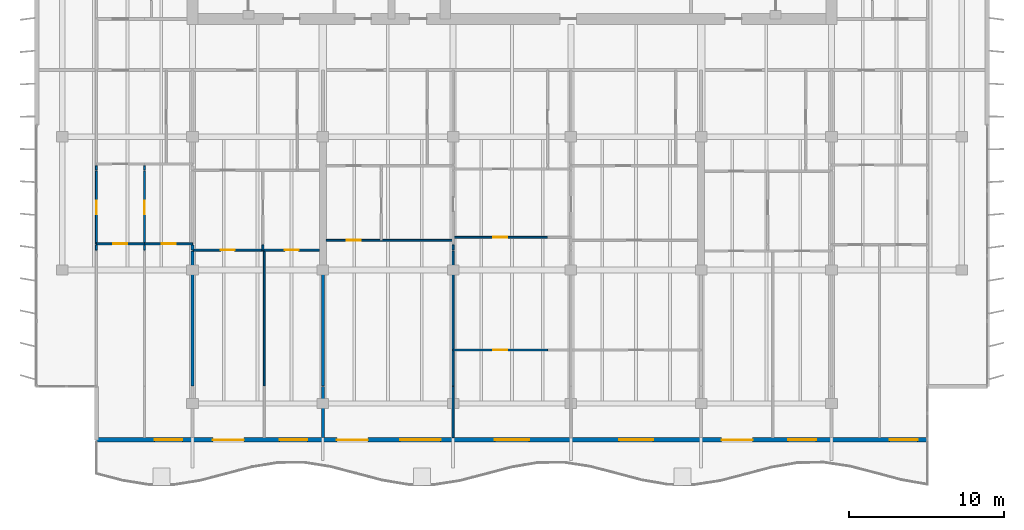
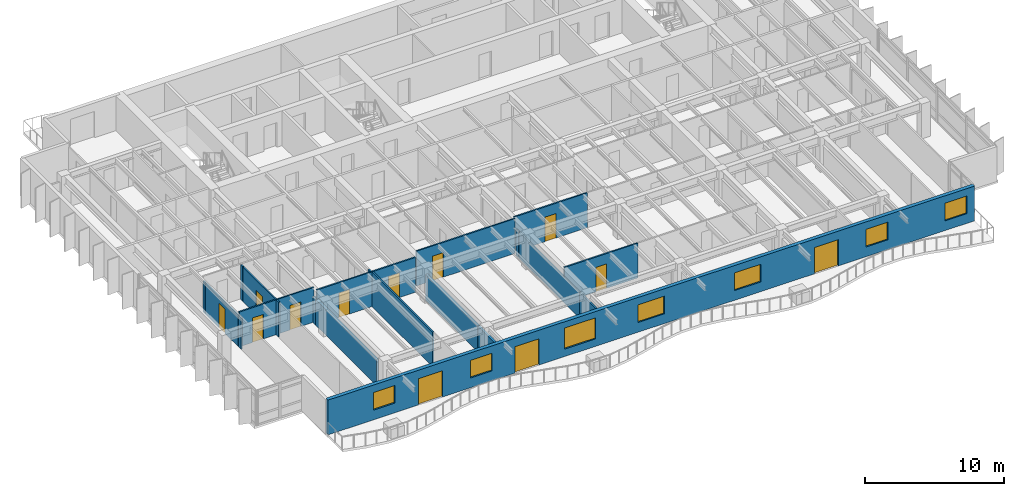
# One storey, part 6 of 17: 22 walls, 12 doors, 7 windows, 19 openings.
"""IFC4 building model written with IfcOpenShell, lengths in metres."""

from ifc_helpers import new_model, si_unit, direction, frame, frame_2d, origin, place, context, subcontext, project, spatial, rectangle, extrude, material, layer, layer_set, type_object, element, fill, save


model = new_model("IFC4")

# Units and contexts
model_context = context("Model", 3, precision=1e-05, world=origin(), true_north=direction((0.0, 1.0)))
body_context = subcontext(model_context, "Body", "Model", "MODEL_VIEW")
ifc_project = project(units=[si_unit("LENGTHUNIT", "METRE"), si_unit("AREAUNIT", "SQUARE_METRE"), si_unit("VOLUMEUNIT", "CUBIC_METRE"), si_unit("PLANEANGLEUNIT", "RADIAN"), si_unit("MASSUNIT", "GRAM", prefix="KILO")], contexts=[model_context])

# Site, building, storey
site_placement = place(None, origin())
site = spatial("IfcSite", under=ifc_project, at=site_placement, CompositionType="ELEMENT")
building_placement = place(site_placement, origin())
building = spatial("IfcBuilding", under=site, at=building_placement, Name="Caelmar Bay Residences", CompositionType="ELEMENT")
storey_placement = place(building_placement, frame((0.0, 0.0, 246.300048828125)))
storey = spatial("IfcBuildingStorey", under=building, at=storey_placement, Name="L69", CompositionType="ELEMENT", Elevation=246.300048828125)

# Wall, openings, doors, windows
ifc_material_1 = material(Name="Precast concrete f'c 40 MPa (6,000 psi)", Category="concrete")
ifc_layer_1 = layer(ifc_material_1, 0.300048828125)
ifc_layer_set_1 = layer_set([ifc_layer_1], Name="Precast concrete f'c 40 MPa (6,000 psi)")
wall_type_1 = type_object("IfcWallType", Name="W-EXT-300", PredefinedType="STANDARD", material=ifc_layer_set_1)
wall_1_placement = place(storey_placement, frame((65.699951171875, 9.85009765625, 0.0), z_axis=(0.0, 0.0, 1.0), x_axis=(-1.0, 0.0, 0.0)))
wall_1 = element("IfcWall", 1, at=wall_1_placement, inside=storey, type_object=wall_type_1, Name="L69 South Bayfront Exterior Wall", PredefinedType="STANDARD", context=body_context, shape_type="SweptSolid", body=[
    extrude(rectangle(XDim=53.599853515625, YDim=0.300048828125, at=frame_2d((26.7998046875, 0.0))), origin(), (0.0, 0.0, 1.0), 3.050048828125),
])
opening_1_placement = place(wall_1_placement, frame((48.050048828125, 0.0, 0.85009765625)))
opening_1 = element("IfcOpeningElement", 2, at=opening_1_placement, cuts=wall_1, Name="Opening WN1", PredefinedType="OPENING", context=body_context, shape_type="SweptSolid", body=[
    extrude(rectangle(XDim=1.800048828125, YDim=1.550048828125, at=frame_2d((0.89990234375, 0.77490234375))), frame((0.0, 0.159912109375, 0.0), z_axis=(0.0, -1.0, 0.0), x_axis=(1.0, 0.0, 0.0)), (0.0, 0.0, 1.0), 0.320068359375),
])
opening_2_placement = place(wall_1_placement, frame((44.090087890625, 0.0, 0.0)))
opening_2 = element("IfcOpeningElement", 3, at=opening_2_placement, cuts=wall_1, Name="Opening L69-BD01", PredefinedType="OPENING", context=body_context, shape_type="SweptSolid", body=[
    extrude(rectangle(XDim=2.0, YDim=2.300048828125, at=frame_2d((1.0, 1.14990234375))), frame((0.0, 0.159912109375, 0.0), z_axis=(0.0, -1.0, 0.0), x_axis=(1.0, 0.0, 0.0)), (0.0, 0.0, 1.0), 0.320068359375),
])
opening_3_placement = place(wall_1_placement, frame((39.989990234375, 0.0, 0.85009765625)))
opening_3 = element("IfcOpeningElement", 4, at=opening_3_placement, cuts=wall_1, Name="Opening WN1", PredefinedType="OPENING", context=body_context, shape_type="SweptSolid", body=[
    extrude(rectangle(XDim=1.800048828125, YDim=1.550048828125, at=frame_2d((0.89990234375, 0.77490234375))), frame((0.0, 0.159912109375, 0.0), z_axis=(0.0, -1.0, 0.0), x_axis=(1.0, 0.0, 0.0)), (0.0, 0.0, 1.0), 0.320068359375),
])
opening_4_placement = place(wall_1_placement, frame((36.090087890625, 0.0, 0.0)))
opening_4 = element("IfcOpeningElement", 5, at=opening_4_placement, cuts=wall_1, Name="Opening L69-BD02", PredefinedType="OPENING", context=body_context, shape_type="SweptSolid", body=[
    extrude(rectangle(XDim=2.0, YDim=2.300048828125, at=frame_2d((1.0, 1.14990234375))), frame((0.0, 0.159912109375, 0.0), z_axis=(0.0, -1.0, 0.0), x_axis=(1.0, 0.0, 0.0)), (0.0, 0.0, 1.0), 0.320068359375),
])
opening_5_placement = place(wall_1_placement, frame((31.409912109375, 0.0, 0.64990234375)))
opening_5 = element("IfcOpeningElement", 6, at=opening_5_placement, cuts=wall_1, Name="Opening WN3", PredefinedType="OPENING", context=body_context, shape_type="SweptSolid", body=[
    extrude(rectangle(XDim=2.60009765625, YDim=1.85009765625, at=frame_2d((1.300048828125, 0.925048828125))), frame((0.0, 0.159912109375, 0.0), z_axis=(0.0, -1.0, 0.0), x_axis=(1.0, 0.0, 0.0)), (0.0, 0.0, 1.0), 0.320068359375),
])
opening_6_placement = place(wall_1_placement, frame((25.699951171875, 0.0, 0.85009765625)))
opening_6 = element("IfcOpeningElement", 7, at=opening_6_placement, cuts=wall_1, Name="Opening WN2", PredefinedType="OPENING", context=body_context, shape_type="SweptSolid", body=[
    extrude(rectangle(XDim=2.199951171875, YDim=1.550048828125, at=frame_2d((1.10009765625, 0.77490234375))), frame((0.0, 0.159912109375, 0.0), z_axis=(0.0, -1.0, 0.0), x_axis=(1.0, 0.0, 0.0)), (0.0, 0.0, 1.0), 0.320068359375),
])
opening_7_placement = place(wall_1_placement, frame((17.699951171875, 0.0, 0.85009765625)))
opening_7 = element("IfcOpeningElement", 8, at=opening_7_placement, cuts=wall_1, Name="Opening WN2", PredefinedType="OPENING", context=body_context, shape_type="SweptSolid", body=[
    extrude(rectangle(XDim=2.199951171875, YDim=1.550048828125, at=frame_2d((1.10009765625, 0.77490234375))), frame((0.0, 0.159912109375, 0.0), z_axis=(0.0, -1.0, 0.0), x_axis=(1.0, 0.0, 0.0)), (0.0, 0.0, 1.0), 0.320068359375),
])
opening_8_placement = place(wall_1_placement, frame((11.2900390625, 0.0, 0.0)))
opening_8 = element("IfcOpeningElement", 9, at=opening_8_placement, cuts=wall_1, Name="Opening L69-BD03", PredefinedType="OPENING", context=body_context, shape_type="SweptSolid", body=[
    extrude(rectangle(XDim=2.0, YDim=2.300048828125, at=frame_2d((1.0, 1.14990234375))), frame((0.0, 0.159912109375, 0.0), z_axis=(0.0, -1.0, 0.0), x_axis=(1.0, 0.0, 0.0)), (0.0, 0.0, 1.0), 0.320068359375),
])
opening_9_placement = place(wall_1_placement, frame((7.18994140625, 0.0, 0.85009765625)))
opening_9 = element("IfcOpeningElement", 10, at=opening_9_placement, cuts=wall_1, Name="Opening WN1", PredefinedType="OPENING", context=body_context, shape_type="SweptSolid", body=[
    extrude(rectangle(XDim=1.800048828125, YDim=1.550048828125, at=frame_2d((0.89990234375, 0.77490234375))), frame((0.0, 0.159912109375, 0.0), z_axis=(0.0, -1.0, 0.0), x_axis=(1.0, 0.0, 0.0)), (0.0, 0.0, 1.0), 0.320068359375),
])
opening_10_placement = place(wall_1_placement, frame((0.64990234375, 0.0, 0.85009765625)))
opening_10 = element("IfcOpeningElement", 11, at=opening_10_placement, cuts=wall_1, Name="Opening WN1", PredefinedType="OPENING", context=body_context, shape_type="SweptSolid", body=[
    extrude(rectangle(XDim=1.800048828125, YDim=1.550048828125, at=frame_2d((0.89990234375, 0.77490234375))), frame((0.0, 0.159912109375, 0.0), z_axis=(0.0, -1.0, 0.0), x_axis=(1.0, 0.0, 0.0)), (0.0, 0.0, 1.0), 0.320068359375),
])
ifc_material_2 = material(Name="Anodised bronze thermally broken sliding glass door", Category="glass")
ifc_layer_2 = layer(ifc_material_2, 0.050048828125)
ifc_layer_set_2 = layer_set([ifc_layer_2], Name="Anodised bronze thermally broken sliding glass door")
door_type_1 = type_object("IfcDoorType", Name="D-BAL-2000", OperationType="DOUBLE_DOOR_SLIDING", PredefinedType="DOOR", material=ifc_layer_set_2)
door_1_placement = place(opening_2_placement, origin())
door_1 = element("IfcDoor", 12, at=door_1_placement, inside=storey, type_object=door_type_1, Name="L69 Residence 02 Living Room Balcony Door", OperationType="DOUBLE_DOOR_SLIDING", OverallHeight=2.300048828125, OverallWidth=2.0, PredefinedType="DOOR", context=body_context, shape_type="SweptSolid", body=[
    extrude(rectangle(XDim=2.0, YDim=2.300048828125, at=frame_2d((1.0, 1.14990234375))), frame((0.0, 0.02490234375, 0.0), z_axis=(0.0, -1.0, 0.0), x_axis=(1.0, 0.0, 0.0)), (0.0, 0.0, 1.0), 0.050048828125),
])
fill(opening_2, door_1)
door_2_placement = place(opening_4_placement, origin())
door_2 = element("IfcDoor", 13, at=door_2_placement, inside=storey, type_object=door_type_1, Name="L69 Residence 03 Penthouse Living Salon Balcony Door", OperationType="DOUBLE_DOOR_SLIDING", OverallHeight=2.300048828125, OverallWidth=2.0, PredefinedType="DOOR", context=body_context, shape_type="SweptSolid", body=[
    extrude(rectangle(XDim=2.0, YDim=2.300048828125, at=frame_2d((1.0, 1.14990234375))), frame((0.0, 0.02490234375, 0.0), z_axis=(0.0, -1.0, 0.0), x_axis=(1.0, 0.0, 0.0)), (0.0, 0.0, 1.0), 0.050048828125),
])
fill(opening_4, door_2)
door_3_placement = place(opening_8_placement, origin())
door_3 = element("IfcDoor", 14, at=door_3_placement, inside=storey, type_object=door_type_1, Name="L69 Residence 04 Living Room Balcony Door", OperationType="DOUBLE_DOOR_SLIDING", OverallHeight=2.300048828125, OverallWidth=2.0, PredefinedType="DOOR", context=body_context, shape_type="SweptSolid", body=[
    extrude(rectangle(XDim=2.0, YDim=2.300048828125, at=frame_2d((1.0, 1.14990234375))), frame((0.0, 0.02490234375, 0.0), z_axis=(0.0, -1.0, 0.0), x_axis=(1.0, 0.0, 0.0)), (0.0, 0.0, 1.0), 0.050048828125),
])
fill(opening_8, door_3)
ifc_material_3 = material(Name="Bronze aluminium frame with laminated low-E glass", Category="aluminium")
ifc_layer_3 = layer(ifc_material_3, 0.06005859375)
ifc_layer_set_3 = layer_set([ifc_layer_3], Name="Bronze aluminium frame with laminated low-E glass")
window_type_1 = type_object("IfcWindowType", Name="WIN-BR-1800", PartitioningType="SINGLE_PANEL", PredefinedType="WINDOW", material=ifc_layer_set_3)
window_1_placement = place(opening_1_placement, origin())
window_1 = element("IfcWindow", 15, at=window_1_placement, inside=storey, type_object=window_type_1, Name="L69 Residence 01 Primary Bedroom Window", OverallHeight=1.550048828125, OverallWidth=1.800048828125, PartitioningType="SINGLE_PANEL", PredefinedType="WINDOW", context=body_context, shape_type="SweptSolid", body=[
    extrude(rectangle(XDim=1.800048828125, YDim=1.550048828125, at=frame_2d((0.89990234375, 0.77490234375))), frame((0.0, 0.030029296875, 0.0), z_axis=(0.0, -1.0, 0.0), x_axis=(1.0, 0.0, 0.0)), (0.0, 0.0, 1.0), 0.06005859375),
])
fill(opening_1, window_1)
window_2_placement = place(opening_3_placement, origin())
window_2 = element("IfcWindow", 16, at=window_2_placement, inside=storey, type_object=window_type_1, Name="L69 Residence 02 Primary Bedroom Window", OverallHeight=1.550048828125, OverallWidth=1.800048828125, PartitioningType="SINGLE_PANEL", PredefinedType="WINDOW", context=body_context, shape_type="SweptSolid", body=[
    extrude(rectangle(XDim=1.800048828125, YDim=1.550048828125, at=frame_2d((0.89990234375, 0.77490234375))), frame((0.0, 0.030029296875, 0.0), z_axis=(0.0, -1.0, 0.0), x_axis=(1.0, 0.0, 0.0)), (0.0, 0.0, 1.0), 0.06005859375),
])
fill(opening_3, window_2)
window_3_placement = place(opening_9_placement, origin())
window_3 = element("IfcWindow", 17, at=window_3_placement, inside=storey, type_object=window_type_1, Name="L69 Residence 04 Primary Bedroom Window", OverallHeight=1.550048828125, OverallWidth=1.800048828125, PartitioningType="SINGLE_PANEL", PredefinedType="WINDOW", context=body_context, shape_type="SweptSolid", body=[
    extrude(rectangle(XDim=1.800048828125, YDim=1.550048828125, at=frame_2d((0.89990234375, 0.77490234375))), frame((0.0, 0.030029296875, 0.0), z_axis=(0.0, -1.0, 0.0), x_axis=(1.0, 0.0, 0.0)), (0.0, 0.0, 1.0), 0.06005859375),
])
fill(opening_9, window_3)
window_4_placement = place(opening_10_placement, origin())
window_4 = element("IfcWindow", 18, at=window_4_placement, inside=storey, type_object=window_type_1, Name="L69 Residence 05 Primary Bedroom Window", OverallHeight=1.550048828125, OverallWidth=1.800048828125, PartitioningType="SINGLE_PANEL", PredefinedType="WINDOW", context=body_context, shape_type="SweptSolid", body=[
    extrude(rectangle(XDim=1.800048828125, YDim=1.550048828125, at=frame_2d((0.89990234375, 0.77490234375))), frame((0.0, 0.030029296875, 0.0), z_axis=(0.0, -1.0, 0.0), x_axis=(1.0, 0.0, 0.0)), (0.0, 0.0, 1.0), 0.06005859375),
])
fill(opening_10, window_4)
ifc_layer_4 = layer(ifc_material_3, 0.06005859375)
ifc_layer_set_4 = layer_set([ifc_layer_4], Name="Bronze aluminium frame with laminated low-E glass")
window_type_2 = type_object("IfcWindowType", Name="WIN-BR-2200", PartitioningType="SINGLE_PANEL", PredefinedType="WINDOW", material=ifc_layer_set_4)
window_5_placement = place(opening_6_placement, origin())
window_5 = element("IfcWindow", 19, at=window_5_placement, inside=storey, type_object=window_type_2, Name="L69 Residence 03 Primary Bedroom 1 Window", OverallHeight=1.550048828125, OverallWidth=2.199951171875, PartitioningType="SINGLE_PANEL", PredefinedType="WINDOW", context=body_context, shape_type="SweptSolid", body=[
    extrude(rectangle(XDim=2.199951171875, YDim=1.550048828125, at=frame_2d((1.10009765625, 0.77490234375))), frame((0.0, 0.030029296875, 0.0), z_axis=(0.0, -1.0, 0.0), x_axis=(1.0, 0.0, 0.0)), (0.0, 0.0, 1.0), 0.06005859375),
])
fill(opening_6, window_5)
window_6_placement = place(opening_7_placement, origin())
window_6 = element("IfcWindow", 20, at=window_6_placement, inside=storey, type_object=window_type_2, Name="L69 Residence 03 Primary Bedroom 2 Window", OverallHeight=1.550048828125, OverallWidth=2.199951171875, PartitioningType="SINGLE_PANEL", PredefinedType="WINDOW", context=body_context, shape_type="SweptSolid", body=[
    extrude(rectangle(XDim=2.199951171875, YDim=1.550048828125, at=frame_2d((1.10009765625, 0.77490234375))), frame((0.0, 0.030029296875, 0.0), z_axis=(0.0, -1.0, 0.0), x_axis=(1.0, 0.0, 0.0)), (0.0, 0.0, 1.0), 0.06005859375),
])
fill(opening_7, window_6)
ifc_layer_5 = layer(ifc_material_3, 0.06005859375)
ifc_layer_set_5 = layer_set([ifc_layer_5], Name="Bronze aluminium frame with laminated low-E glass")
window_type_3 = type_object("IfcWindowType", Name="WIN-LIV-2600", PartitioningType="SINGLE_PANEL", PredefinedType="WINDOW", material=ifc_layer_set_5)
window_7_placement = place(opening_5_placement, origin())
window_7 = element("IfcWindow", 21, at=window_7_placement, inside=storey, type_object=window_type_3, Name="L69 Residence 03 Penthouse Living Salon Panoramic Window", OverallHeight=1.85009765625, OverallWidth=2.60009765625, PartitioningType="SINGLE_PANEL", PredefinedType="WINDOW", context=body_context, shape_type="SweptSolid", body=[
    extrude(rectangle(XDim=2.60009765625, YDim=1.85009765625, at=frame_2d((1.300048828125, 0.925048828125))), frame((0.0, 0.030029296875, 0.0), z_axis=(0.0, -1.0, 0.0), x_axis=(1.0, 0.0, 0.0)), (0.0, 0.0, 1.0), 0.06005859375),
])
fill(opening_5, window_7)

# Wall
ifc_material_4 = material(Name="Acoustic metal-stud gypsum partition 120 mm")
ifc_layer_6 = layer(ifc_material_4, 0.1201171875)
ifc_layer_set_6 = layer_set([ifc_layer_6], Name="Acoustic metal-stud gypsum partition 120 mm")
wall_type_2 = type_object("IfcWallType", Name="W-PRT-120", PredefinedType="PARTITIONING", material=ifc_layer_set_6)
wall_2_placement = place(storey_placement, frame((12.10009765625, 22.090087890625, 0.0), z_axis=(0.0, 0.0, 1.0), x_axis=(0.0, 1.0, 0.0)))
element("IfcWall", 22, at=wall_2_placement, inside=storey, type_object=wall_type_2, Name="L69 Partition Wall V002", PredefinedType="PARTITIONING", context=body_context, shape_type="SweptSolid", body=[
    extrude(rectangle(XDim=0.33984375, YDim=0.1201171875, at=frame_2d((0.169921875, 0.0))), origin(), (0.0, 0.0, 1.0), 2.724853515625),
])

# Wall, opening, door
wall_3_placement = place(storey_placement, frame((12.10009765625, 22.489990234375, 0.0), z_axis=(0.0, 0.0, 1.0), x_axis=(0.0, 1.0, 0.0)))
wall_3 = element("IfcWall", 23, at=wall_3_placement, inside=storey, type_object=wall_type_2, Name="L69 Partition Wall V003", PredefinedType="PARTITIONING", context=body_context, shape_type="SweptSolid", body=[
    extrude(rectangle(XDim=4.68994140625, YDim=0.1201171875, at=frame_2d((2.344970703125, 0.0))), origin(), (0.0, 0.0, 1.0), 2.724853515625),
])
opening_11_placement = place(wall_3_placement, frame((1.89501953125, 0.0, 0.0)))
opening_11 = element("IfcOpeningElement", 24, at=opening_11_placement, cuts=wall_3, Name="Opening D-L69-160", PredefinedType="OPENING", context=body_context, shape_type="SweptSolid", body=[
    extrude(rectangle(XDim=0.89990234375, YDim=2.14990234375, at=frame_2d((0.449951171875, 1.074951171875))), frame((0.0, 0.070068359375, 0.0), z_axis=(0.0, -1.0, 0.0), x_axis=(1.0, 0.0, 0.0)), (0.0, 0.0, 1.0), 0.14013671875),
])
ifc_material_5 = material(Name="Solid walnut timber interior door leaf and frame", Category="wood")
ifc_layer_7 = layer(ifc_material_5, 0.050048828125)
ifc_layer_set_7 = layer_set([ifc_layer_7], Name="Solid walnut timber interior door leaf and frame")
door_type_2 = type_object("IfcDoorType", Name="D-ROOM-900", OperationType="NOTDEFINED", PredefinedType="DOOR", material=ifc_layer_set_7)
door_4_placement = place(opening_11_placement, origin())
door_4 = element("IfcDoor", 25, at=door_4_placement, inside=storey, type_object=door_type_2, Name="L69 Residence 01 Penthouse West Salon Door", OperationType="SINGLE_SWING_LEFT", OverallHeight=2.14990234375, OverallWidth=0.89990234375, PredefinedType="DOOR", context=body_context, shape_type="SweptSolid", body=[
    extrude(rectangle(XDim=0.89990234375, YDim=2.14990234375, at=frame_2d((0.449951171875, 1.074951171875))), frame((0.0, 0.02490234375, 0.0), z_axis=(0.0, -1.0, 0.0), x_axis=(1.0, 0.0, 0.0)), (0.0, 0.0, 1.0), 0.050048828125),
])
fill(opening_11, door_4)

# Wall
wall_4_placement = place(storey_placement, frame((12.10009765625, 27.239990234375, 0.0), z_axis=(0.0, 0.0, 1.0), x_axis=(0.0, 1.0, 0.0)))
element("IfcWall", 26, at=wall_4_placement, inside=storey, type_object=wall_type_2, Name="L69 Partition Wall V004", PredefinedType="PARTITIONING", context=body_context, shape_type="SweptSolid", body=[
    extrude(rectangle(XDim=0.280029296875, YDim=0.1201171875, at=frame_2d((0.14013671875, 0.0))), origin(), (0.0, 0.0, 1.0), 2.724853515625),
])

# Wall, opening, door
wall_5_placement = place(storey_placement, frame((15.197998046875, 22.489990234375, 0.0), z_axis=(0.0, 0.0, 1.0), x_axis=(0.0, 1.0, 0.0)))
wall_5 = element("IfcWall", 27, at=wall_5_placement, inside=storey, type_object=wall_type_2, Name="L69 Partition Wall V008", PredefinedType="PARTITIONING", context=body_context, shape_type="SweptSolid", body=[
    extrude(rectangle(XDim=4.68994140625, YDim=0.1201171875, at=frame_2d((2.344970703125, 0.0))), origin(), (0.0, 0.0, 1.0), 3.050048828125),
])
opening_12_placement = place(wall_5_placement, frame((1.89501953125, 0.0, 0.0)))
opening_12 = element("IfcOpeningElement", 28, at=opening_12_placement, cuts=wall_5, Name="Opening D-L69-125", PredefinedType="OPENING", context=body_context, shape_type="SweptSolid", body=[
    extrude(rectangle(XDim=0.89990234375, YDim=2.14990234375, at=frame_2d((0.449951171875, 1.074951171875))), frame((0.0, 0.070068359375, 0.0), z_axis=(0.0, -1.0, 0.0), x_axis=(1.0, 0.0, 0.0)), (0.0, 0.0, 1.0), 0.14013671875),
])
door_5_placement = place(opening_12_placement, origin())
door_5 = element("IfcDoor", 29, at=door_5_placement, inside=storey, type_object=door_type_2, Name="L69 Residence 01 Formal Dining Room Door", OperationType="SINGLE_SWING_RIGHT", OverallHeight=2.14990234375, OverallWidth=0.89990234375, PredefinedType="DOOR", context=body_context, shape_type="SweptSolid", body=[
    extrude(rectangle(XDim=0.89990234375, YDim=2.14990234375, at=frame_2d((0.449951171875, 1.074951171875))), frame((0.0, 0.02490234375, 0.0), z_axis=(0.0, -1.0, 0.0), x_axis=(1.0, 0.0, 0.0)), (0.0, 0.0, 1.0), 0.050048828125),
])
fill(opening_12, door_5)

# Walls
wall_6_placement = place(storey_placement, frame((15.197998046875, 27.239990234375, 0.0), z_axis=(0.0, 0.0, 1.0), x_axis=(0.0, 1.0, 0.0)))
element("IfcWall", 30, at=wall_6_placement, inside=storey, type_object=wall_type_2, Name="L69 Partition Wall V009", PredefinedType="PARTITIONING", context=body_context, shape_type="SweptSolid", body=[
    extrude(rectangle(XDim=0.280029296875, YDim=0.1201171875, at=frame_2d((0.14013671875, 0.0))), origin(), (0.0, 0.0, 1.0), 3.050048828125),
])
for number, where, z_axis, x_axis, name in (
    (31, (15.199951171875, 22.090087890625, 0.0), (0.0, 0.0, 1.0), (0.0, 1.0, 0.0), "L69 Partition Wall V012"),
    (32, (22.8359375, 22.090087890625, 0.0), (0.0, 0.0, 1.0), (0.0, 1.0, 0.0), "L69 Partition Wall V022"),
):
    element("IfcWall", number, at=place(storey_placement, frame(where, z_axis=z_axis, x_axis=x_axis)), inside=storey, type_object=wall_type_2, Name=name, PredefinedType="PARTITIONING", context=body_context, shape_type="SweptSolid", body=[
        extrude(rectangle(XDim=0.33984375, YDim=0.1201171875, at=frame_2d((0.169921875, 0.0))), origin(), (0.0, 0.0, 1.0), 3.050048828125),
    ])
wall_7_placement = place(storey_placement, frame((22.919921875, 13.340087890625, 0.0), z_axis=(0.0, 0.0, 1.0), x_axis=(0.0, 1.0, 0.0)))
element("IfcWall", 33, at=wall_7_placement, inside=storey, type_object=wall_type_2, Name="L69 Partition Wall V025", PredefinedType="PARTITIONING", context=body_context, shape_type="SweptSolid", body=[
    extrude(rectangle(XDim=8.68994140625, YDim=0.1201171875, at=frame_2d((4.344970703125, 0.0))), origin(), (0.0, 0.0, 1.0), 3.050048828125),
])
wall_8_placement = place(storey_placement, frame((35.10009765625, 9.9951171875, 0.0), z_axis=(0.0, 0.0, 1.0), x_axis=(0.0, 1.0, 0.0)))
element("IfcWall", 34, at=wall_8_placement, inside=storey, type_object=wall_type_2, Name="L69 Partition Wall V038", PredefinedType="PARTITIONING", context=body_context, shape_type="SweptSolid", body=[
    extrude(rectangle(XDim=3.304931640625, YDim=0.1201171875, at=frame_2d((1.65234375, 0.0))), origin(), (0.0, 0.0, 1.0), 2.262939453125),
])
wall_9_placement = place(storey_placement, frame((35.10009765625, 13.340087890625, 0.0), z_axis=(0.0, 0.0, 1.0), x_axis=(0.0, 1.0, 0.0)))
element("IfcWall", 35, at=wall_9_placement, inside=storey, type_object=wall_type_2, Name="L69 Partition Wall V039", PredefinedType="PARTITIONING", context=body_context, shape_type="SweptSolid", body=[
    extrude(rectangle(XDim=8.68994140625, YDim=0.1201171875, at=frame_2d((4.344970703125, 0.0))), origin(), (0.0, 0.0, 1.0), 2.262939453125),
])
wall_10_placement = place(storey_placement, frame((35.10009765625, 22.090087890625, 0.0), z_axis=(0.0, 0.0, 1.0), x_axis=(0.0, 1.0, 0.0)))
element("IfcWall", 36, at=wall_10_placement, inside=storey, type_object=wall_type_2, Name="L69 Partition Wall V040", PredefinedType="PARTITIONING", context=body_context, shape_type="SweptSolid", body=[
    extrude(rectangle(XDim=0.33984375, YDim=0.1201171875, at=frame_2d((0.169921875, 0.0))), origin(), (0.0, 0.0, 1.0), 2.262939453125),
])

# Wall, opening, door
wall_11_placement = place(storey_placement, frame((35.10009765625, 15.64990234375, 0.0), z_axis=(0.0, 0.0, 1.0), x_axis=(1.0, 0.0, 0.0)))
wall_11 = element("IfcWall", 37, at=wall_11_placement, inside=storey, type_object=wall_type_2, Name="L69 Partition Wall H089", PredefinedType="PARTITIONING", context=body_context, shape_type="SweptSolid", body=[
    extrude(rectangle(XDim=6.094970703125, YDim=0.1201171875, at=frame_2d((3.04736328125, 0.0))), origin(), (0.0, 0.0, 1.0), 3.050048828125),
])
opening_13_placement = place(wall_11_placement, frame((2.597412109375, 0.0, 0.0)))
opening_13 = element("IfcOpeningElement", 38, at=opening_13_placement, cuts=wall_11, Name="Opening D-L69-143", PredefinedType="OPENING", context=body_context, shape_type="SweptSolid", body=[
    extrude(rectangle(XDim=0.89990234375, YDim=2.14990234375, at=frame_2d((0.449951171875, 1.074951171875))), frame((0.0, 0.070068359375, 0.0), z_axis=(0.0, -1.0, 0.0), x_axis=(1.0, 0.0, 0.0)), (0.0, 0.0, 1.0), 0.14013671875),
])
door_6_placement = place(opening_13_placement, origin())
door_6 = element("IfcDoor", 39, at=door_6_placement, inside=storey, type_object=door_type_2, Name="L69 Residence 03 Primary Bedroom 1 Door", OperationType="SINGLE_SWING_RIGHT", OverallHeight=2.14990234375, OverallWidth=0.89990234375, PredefinedType="DOOR", context=body_context, shape_type="SweptSolid", body=[
    extrude(rectangle(XDim=0.89990234375, YDim=2.14990234375, at=frame_2d((0.449951171875, 1.074951171875))), frame((0.0, 0.02490234375, 0.0), z_axis=(0.0, -1.0, 0.0), x_axis=(1.0, 0.0, 0.0)), (0.0, 0.0, 1.0), 0.050048828125),
])
fill(opening_13, door_6)

# Wall, openings, doors
wall_12_placement = place(storey_placement, frame((18.300048828125, 22.090087890625, 0.0), z_axis=(0.0, 0.0, 1.0), x_axis=(1.0, 0.0, 0.0)))
wall_12 = element("IfcWall", 40, at=wall_12_placement, inside=storey, type_object=wall_type_2, Name="L69 Partition Wall H092", PredefinedType="PARTITIONING", context=body_context, shape_type="SweptSolid", body=[
    extrude(rectangle(XDim=8.179931640625, YDim=0.1201171875, at=frame_2d((4.08984375, 0.0))), origin(), (0.0, 0.0, 1.0), 3.050048828125),
])
opening_14_placement = place(wall_12_placement, frame((1.818115234375, 0.0, 0.0)))
opening_14 = element("IfcOpeningElement", 41, at=opening_14_placement, cuts=wall_12, Name="Opening D-L69-132", PredefinedType="OPENING", context=body_context, shape_type="SweptSolid", body=[
    extrude(rectangle(XDim=0.89990234375, YDim=2.14990234375, at=frame_2d((0.449951171875, 1.074951171875))), frame((0.0, 0.070068359375, 0.0), z_axis=(0.0, -1.0, 0.0), x_axis=(1.0, 0.0, 0.0)), (0.0, 0.0, 1.0), 0.14013671875),
])
opening_15_placement = place(wall_12_placement, frame((5.949951171875, 0.0, 0.0)))
opening_15 = element("IfcOpeningElement", 42, at=opening_15_placement, cuts=wall_12, Name="Opening D-L69-133", PredefinedType="OPENING", context=body_context, shape_type="SweptSolid", body=[
    extrude(rectangle(XDim=0.89990234375, YDim=2.14990234375, at=frame_2d((0.449951171875, 1.074951171875))), frame((0.0, 0.070068359375, 0.0), z_axis=(0.0, -1.0, 0.0), x_axis=(1.0, 0.0, 0.0)), (0.0, 0.0, 1.0), 0.14013671875),
])
door_7_placement = place(opening_14_placement, origin())
door_7 = element("IfcDoor", 43, at=door_7_placement, inside=storey, type_object=door_type_2, Name="L69 Residence 02 Living Room Door", OperationType="SINGLE_SWING_LEFT", OverallHeight=2.14990234375, OverallWidth=0.89990234375, PredefinedType="DOOR", context=body_context, shape_type="SweptSolid", body=[
    extrude(rectangle(XDim=0.89990234375, YDim=2.14990234375, at=frame_2d((0.449951171875, 1.074951171875))), frame((0.0, 0.02490234375, 0.0), z_axis=(0.0, -1.0, 0.0), x_axis=(1.0, 0.0, 0.0)), (0.0, 0.0, 1.0), 0.050048828125),
])
fill(opening_14, door_7)
door_8_placement = place(opening_15_placement, origin())
door_8 = element("IfcDoor", 44, at=door_8_placement, inside=storey, type_object=door_type_2, Name="L69 Residence 02 Primary Bedroom Door", OperationType="SINGLE_SWING_RIGHT", OverallHeight=2.14990234375, OverallWidth=0.89990234375, PredefinedType="DOOR", context=body_context, shape_type="SweptSolid", body=[
    extrude(rectangle(XDim=0.89990234375, YDim=2.14990234375, at=frame_2d((0.449951171875, 1.074951171875))), frame((0.0, 0.02490234375, 0.0), z_axis=(0.0, -1.0, 0.0), x_axis=(1.0, 0.0, 0.0)), (0.0, 0.0, 1.0), 0.050048828125),
])
fill(opening_15, door_8)

# Wall, opening, door
wall_13_placement = place(storey_placement, frame((12.10009765625, 22.489990234375, 0.0), z_axis=(0.0, 0.0, 1.0), x_axis=(1.0, 0.0, 0.0)))
wall_13 = element("IfcWall", 45, at=wall_13_placement, inside=storey, type_object=wall_type_2, Name="L69 Partition Wall H094", PredefinedType="PARTITIONING", context=body_context, shape_type="SweptSolid", body=[
    extrude(rectangle(XDim=3.097900390625, YDim=0.1201171875, at=frame_2d((1.548828125, 0.0))), origin(), (0.0, 0.0, 1.0), 3.050048828125),
])
opening_16_placement = place(wall_13_placement, frame((1.09912109375, 0.0, 0.0)))
opening_16 = element("IfcOpeningElement", 46, at=opening_16_placement, cuts=wall_13, Name="Opening D-L69-126", PredefinedType="OPENING", context=body_context, shape_type="SweptSolid", body=[
    extrude(rectangle(XDim=0.89990234375, YDim=2.14990234375, at=frame_2d((0.449951171875, 1.074951171875))), frame((0.0, 0.070068359375, 0.0), z_axis=(0.0, -1.0, 0.0), x_axis=(1.0, 0.0, 0.0)), (0.0, 0.0, 1.0), 0.14013671875),
])
door_9_placement = place(opening_16_placement, origin())
door_9 = element("IfcDoor", 47, at=door_9_placement, inside=storey, type_object=door_type_2, Name="L69 Residence 01 Living Room Door", OperationType="SINGLE_SWING_LEFT", OverallHeight=2.14990234375, OverallWidth=0.89990234375, PredefinedType="DOOR", context=body_context, shape_type="SweptSolid", body=[
    extrude(rectangle(XDim=0.89990234375, YDim=2.14990234375, at=frame_2d((0.449951171875, 1.074951171875))), frame((0.0, 0.02490234375, 0.0), z_axis=(0.0, -1.0, 0.0), x_axis=(1.0, 0.0, 0.0)), (0.0, 0.0, 1.0), 0.050048828125),
])
fill(opening_16, door_9)

wall_14_placement = place(storey_placement, frame((15.202880859375, 22.489990234375, 0.0), z_axis=(0.0, 0.0, 1.0), x_axis=(1.0, 0.0, 0.0)))
wall_14 = element("IfcWall", 48, at=wall_14_placement, inside=storey, type_object=wall_type_2, Name="L69 Partition Wall H095", PredefinedType="PARTITIONING", context=body_context, shape_type="SweptSolid", body=[
    extrude(rectangle(XDim=3.09716796875, YDim=0.1201171875, at=frame_2d((1.548583984375, 0.0))), origin(), (0.0, 0.0, 1.0), 3.050048828125),
])
opening_17_placement = place(wall_14_placement, frame((1.098388671875, 0.0, 0.0)))
opening_17 = element("IfcOpeningElement", 49, at=opening_17_placement, cuts=wall_14, Name="Opening D-L69-127", PredefinedType="OPENING", context=body_context, shape_type="SweptSolid", body=[
    extrude(rectangle(XDim=0.89990234375, YDim=2.14990234375, at=frame_2d((0.449951171875, 1.074951171875))), frame((0.0, 0.070068359375, 0.0), z_axis=(0.0, -1.0, 0.0), x_axis=(1.0, 0.0, 0.0)), (0.0, 0.0, 1.0), 0.14013671875),
])
door_10_placement = place(opening_17_placement, origin())
door_10 = element("IfcDoor", 50, at=door_10_placement, inside=storey, type_object=door_type_2, Name="L69 Residence 01 Primary Bedroom Door", OperationType="SINGLE_SWING_RIGHT", OverallHeight=2.14990234375, OverallWidth=0.89990234375, PredefinedType="DOOR", context=body_context, shape_type="SweptSolid", body=[
    extrude(rectangle(XDim=0.89990234375, YDim=2.14990234375, at=frame_2d((0.449951171875, 1.074951171875))), frame((0.0, 0.02490234375, 0.0), z_axis=(0.0, -1.0, 0.0), x_axis=(1.0, 0.0, 0.0)), (0.0, 0.0, 1.0), 0.050048828125),
])
fill(opening_17, door_10)

wall_15_placement = place(storey_placement, frame((26.919921875, 22.719970703125, 0.0), z_axis=(0.0, 0.0, 1.0), x_axis=(1.0, 0.0, 0.0)))
wall_15 = element("IfcWall", 51, at=wall_15_placement, inside=storey, type_object=wall_type_2, Name="L69 Partition Wall H096", PredefinedType="PARTITIONING", context=body_context, shape_type="SweptSolid", body=[
    extrude(rectangle(XDim=8.18017578125, YDim=0.1201171875, at=frame_2d((4.090087890625, 0.0))), origin(), (0.0, 0.0, 1.0), 3.050048828125),
])
opening_18_placement = place(wall_15_placement, frame((1.330078125, 0.0, 0.0)))
opening_18 = element("IfcOpeningElement", 52, at=opening_18_placement, cuts=wall_15, Name="Opening D-L69-138", PredefinedType="OPENING", context=body_context, shape_type="SweptSolid", body=[
    extrude(rectangle(XDim=0.89990234375, YDim=2.14990234375, at=frame_2d((0.449951171875, 1.074951171875))), frame((0.0, 0.070068359375, 0.0), z_axis=(0.0, -1.0, 0.0), x_axis=(1.0, 0.0, 0.0)), (0.0, 0.0, 1.0), 0.14013671875),
])
door_11_placement = place(opening_18_placement, origin())
door_11 = element("IfcDoor", 53, at=door_11_placement, inside=storey, type_object=door_type_2, Name="L69 Residence 03 Penthouse Living Salon Door", OperationType="SINGLE_SWING_LEFT", OverallHeight=2.14990234375, OverallWidth=0.89990234375, PredefinedType="DOOR", context=body_context, shape_type="SweptSolid", body=[
    extrude(rectangle(XDim=0.89990234375, YDim=2.14990234375, at=frame_2d((0.449951171875, 1.074951171875))), frame((0.0, 0.02490234375, 0.0), z_axis=(0.0, -1.0, 0.0), x_axis=(1.0, 0.0, 0.0)), (0.0, 0.0, 1.0), 0.050048828125),
])
fill(opening_18, door_11)

wall_16_placement = place(storey_placement, frame((35.10009765625, 22.919921875, 0.0), z_axis=(0.0, 0.0, 1.0), x_axis=(1.0, 0.0, 0.0)))
wall_16 = element("IfcWall", 54, at=wall_16_placement, inside=storey, type_object=wall_type_2, Name="L69 Partition Wall H098", PredefinedType="PARTITIONING", context=body_context, shape_type="SweptSolid", body=[
    extrude(rectangle(XDim=6.094970703125, YDim=0.1201171875, at=frame_2d((3.04736328125, 0.0))), origin(), (0.0, 0.0, 1.0), 3.050048828125),
])
opening_19_placement = place(wall_16_placement, frame((2.597412109375, 0.0, 0.0)))
opening_19 = element("IfcOpeningElement", 55, at=opening_19_placement, cuts=wall_16, Name="Opening D-L69-142", PredefinedType="OPENING", context=body_context, shape_type="SweptSolid", body=[
    extrude(rectangle(XDim=0.89990234375, YDim=2.14990234375, at=frame_2d((0.449951171875, 1.074951171875))), frame((0.0, 0.070068359375, 0.0), z_axis=(0.0, -1.0, 0.0), x_axis=(1.0, 0.0, 0.0)), (0.0, 0.0, 1.0), 0.14013671875),
])
door_12_placement = place(opening_19_placement, origin())
door_12 = element("IfcDoor", 56, at=door_12_placement, inside=storey, type_object=door_type_2, Name="L69 Residence 03 Penthouse Sitting Salon 1 Door", OperationType="SINGLE_SWING_LEFT", OverallHeight=2.14990234375, OverallWidth=0.89990234375, PredefinedType="DOOR", context=body_context, shape_type="SweptSolid", body=[
    extrude(rectangle(XDim=0.89990234375, YDim=2.14990234375, at=frame_2d((0.449951171875, 1.074951171875))), frame((0.0, 0.02490234375, 0.0), z_axis=(0.0, -1.0, 0.0), x_axis=(1.0, 0.0, 0.0)), (0.0, 0.0, 1.0), 0.050048828125),
])
fill(opening_19, door_12)

# Walls
ifc_material_6 = material(Name="Acoustic twin-stud fire-rated inter-tenancy partition 200 mm")
ifc_layer_8 = layer(ifc_material_6, 0.199951171875)
ifc_layer_set_8 = layer_set([ifc_layer_8], Name="Acoustic twin-stud fire-rated inter-tenancy partition 200 mm")
wall_type_3 = type_object("IfcWallType", Name="W-PTY-200", PredefinedType="PARTITIONING", material=ifc_layer_set_8)
wall_17_placement = place(storey_placement, frame((18.300048828125, 13.340087890625, 0.0), z_axis=(0.0, 0.0, 1.0), x_axis=(0.0, 1.0, 0.0)))
element("IfcWall", 57, at=wall_17_placement, inside=storey, type_object=wall_type_3, Name="L69 Partition Wall V016", PredefinedType="PARTITIONING", context=body_context, shape_type="SweptSolid", body=[
    extrude(rectangle(XDim=8.68994140625, YDim=0.199951171875, at=frame_2d((4.344970703125, 0.0))), origin(), (0.0, 0.0, 1.0), 2.262939453125),
])
wall_18_placement = place(storey_placement, frame((18.300048828125, 22.090087890625, 0.0), z_axis=(0.0, 0.0, 1.0), x_axis=(0.0, 1.0, 0.0)))
element("IfcWall", 58, at=wall_18_placement, inside=storey, type_object=wall_type_3, Name="L69 Partition Wall V017", PredefinedType="PARTITIONING", context=body_context, shape_type="SweptSolid", body=[
    extrude(rectangle(XDim=0.33984375, YDim=0.199951171875, at=frame_2d((0.169921875, 0.0))), origin(), (0.0, 0.0, 1.0), 2.262939453125),
])
wall_19_placement = place(storey_placement, frame((26.699951171875, 9.9951171875, 0.0), z_axis=(0.0, 0.0, 1.0), x_axis=(0.0, 1.0, 0.0)))
element("IfcWall", 59, at=wall_19_placement, inside=storey, type_object=wall_type_3, Name="L69 Partition Wall V029", PredefinedType="PARTITIONING", context=body_context, shape_type="SweptSolid", body=[
    extrude(rectangle(XDim=3.304931640625, YDim=0.199951171875, at=frame_2d((1.65234375, 0.0))), origin(), (0.0, 0.0, 1.0), 2.262939453125),
])
wall_20_placement = place(storey_placement, frame((26.699951171875, 13.340087890625, 0.0), z_axis=(0.0, 0.0, 1.0), x_axis=(0.0, 1.0, 0.0)))
element("IfcWall", 60, at=wall_20_placement, inside=storey, type_object=wall_type_3, Name="L69 Partition Wall V030", PredefinedType="PARTITIONING", context=body_context, shape_type="SweptSolid", body=[
    extrude(rectangle(XDim=7.454833984375, YDim=0.199951171875, at=frame_2d((3.7275390625, 0.0))), origin(), (0.0, 0.0, 1.0), 2.262939453125),
])

save(model, "model.ifc")
